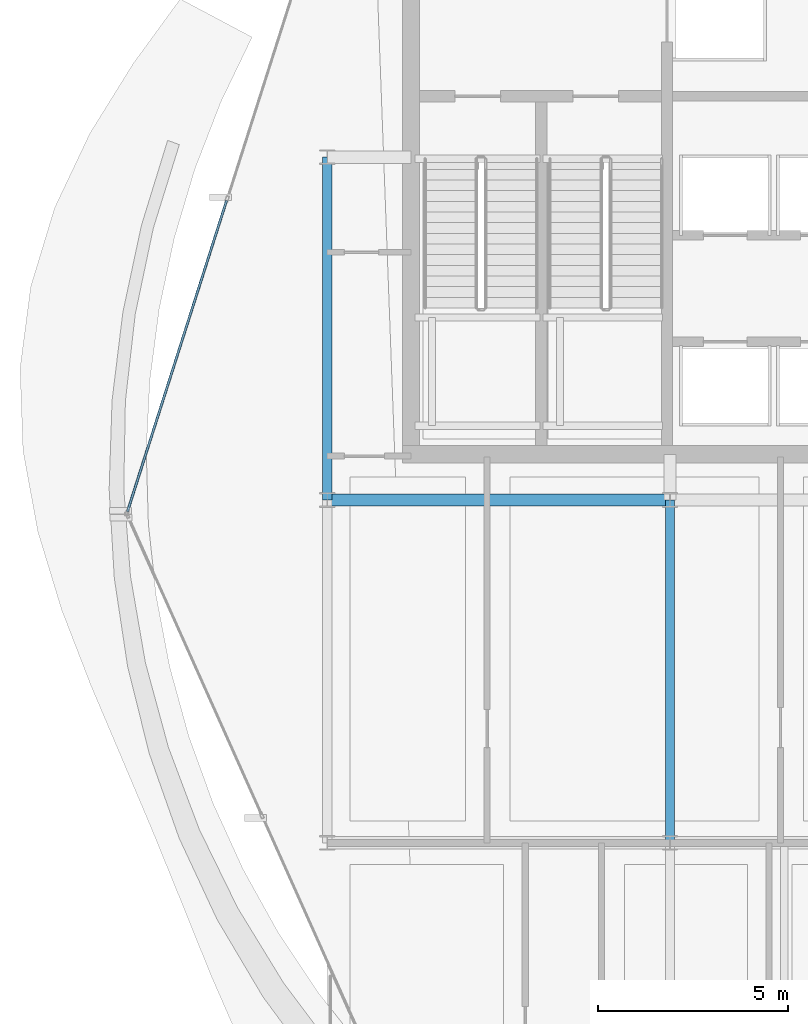
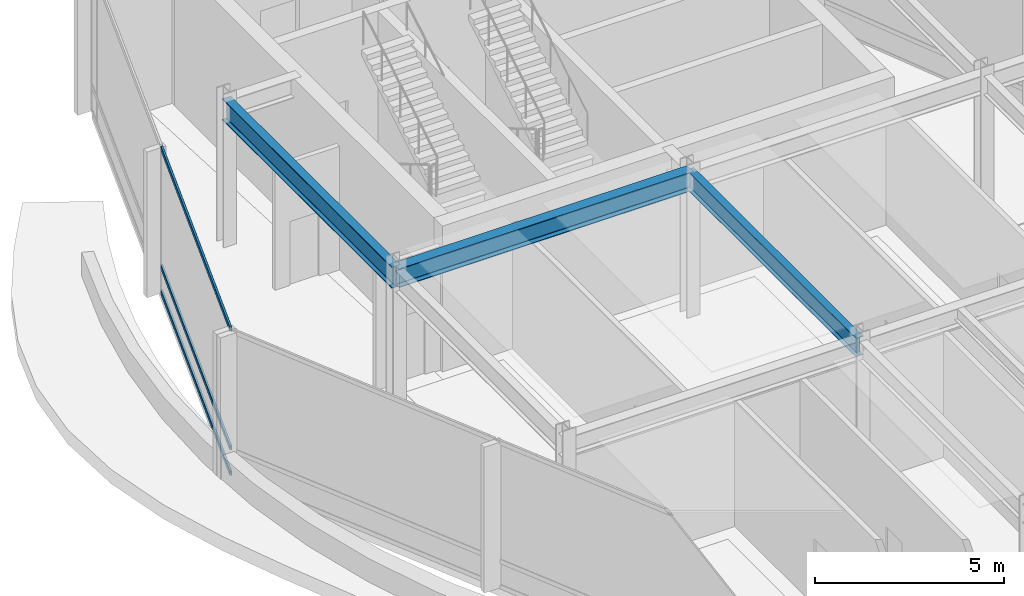
# One storey, part 7 of 23: 3 beams, 3 members, 1 element without a shape of its own.
"""IFC4 building model written with IfcOpenShell, lengths in metres."""

from ifc_helpers import new_model, si_unit, direction, frame, origin, origin_2d, place, context, subcontext, project, spatial, hollow_rectangle, i_section, extrude, material, layer, layer_set, material_profile, profile_set, type_object, element, aggregate, save


model = new_model("IFC4")

# Units and contexts
model_context = context("Model", 3, precision=1e-05, world=origin(), true_north=direction((0.0, 1.0)))
body_context = subcontext(model_context, "Body", "Model", "MODEL_VIEW")
ifc_project = project(units=[si_unit("LENGTHUNIT", "METRE"), si_unit("AREAUNIT", "SQUARE_METRE"), si_unit("VOLUMEUNIT", "CUBIC_METRE"), si_unit("PLANEANGLEUNIT", "RADIAN"), si_unit("MASSUNIT", "GRAM", prefix="KILO")], contexts=[model_context])

# Site, building, storey
site_placement = place(None, origin())
site = spatial("IfcSite", under=ifc_project, at=site_placement, CompositionType="ELEMENT")
building_placement = place(site_placement, origin())
building = spatial("IfcBuilding", under=site, at=building_placement, Name="Solvaryn Broadcast Tower", CompositionType="ELEMENT")
storey_placement = place(building_placement, frame((0.0, 0.0, 235.800048828125)))
storey = spatial("IfcBuildingStorey", under=building, at=storey_placement, Name="L59", CompositionType="ELEMENT", Elevation=235.800048828125)

# Beams
ifc_material_1 = material(Name="Steel ASTM A992 Grade 50", Category="steel")
ifc_material_profile_1 = material_profile(ifc_material_1, i_section(OverallWidth=0.323974609375, OverallDepth=0.611083984375, WebThickness=0.0126953125, FlangeThickness=0.01904296875, FilletRadius=0.014892578125, at=origin_2d()))
ifc_profile_set_1 = profile_set([ifc_material_profile_1], Name="Steel ASTM A992 Grade 50")
beam_type_1 = type_object("IfcBeamType", Name="BM-B1-W24X104", PredefinedType="BEAM", material=ifc_profile_set_1)
beam_1_placement = place(storey_placement, frame((9.0, 27.0, 4.41455078125), z_axis=(1.0, 0.0, 0.0), x_axis=(0.0, 1.0, 0.0)))
element("IfcBeam", 1, at=beam_1_placement, inside=storey, type_object=beam_type_1, Name="L59 Primary Beam X (9-18 @ Y=27)", PredefinedType="BEAM", context=body_context, shape_type="SweptSolid", body=[
    extrude(i_section(OverallWidth=0.323974609375, OverallDepth=0.611083984375, WebThickness=0.0126953125, FlangeThickness=0.01904296875, FilletRadius=0.014892578125, at=origin_2d()), origin(), (0.0, 0.0, 1.0), 9.0),
])
ifc_material_2 = material(Name="Steel ASTM A992 Grade 50", Category="steel")
ifc_material_profile_2 = material_profile(ifc_material_2, i_section(OverallWidth=0.22802734375, OverallDepth=0.60791015625, WebThickness=0.01123046875, FlangeThickness=0.017333984375, FilletRadius=0.014892578125, at=origin_2d()))
ifc_profile_set_2 = profile_set([ifc_material_profile_2], Name="Steel ASTM A992 Grade 50")
beam_type_2 = type_object("IfcBeamType", Name="BM-B2-W24X76", PredefinedType="BEAM", material=ifc_profile_set_2)
beam_2_placement = place(storey_placement, frame((18.0, 18.0, 4.416015625), z_axis=(0.0, 1.0, 0.0), x_axis=(-1.0, 0.0, 0.0)))
element("IfcBeam", 2, at=beam_2_placement, inside=storey, type_object=beam_type_2, Name="L59 Primary Beam Y (18-27 @ X=18)", PredefinedType="BEAM", context=body_context, shape_type="SweptSolid", body=[
    extrude(i_section(OverallWidth=0.22802734375, OverallDepth=0.60791015625, WebThickness=0.01123046875, FlangeThickness=0.017333984375, FilletRadius=0.014892578125, at=origin_2d()), origin(), (0.0, 0.0, 1.0), 9.0),
])
ifc_material_3 = material(Name="Steel ASTM A992 Grade 50", Category="steel")
ifc_material_profile_3 = material_profile(ifc_material_3, i_section(OverallWidth=0.256103515625, OverallDepth=0.693115234375, WebThickness=0.014404296875, FlangeThickness=0.023681640625, FilletRadius=0.01611328125, at=origin_2d()))
ifc_profile_set_3 = profile_set([ifc_material_profile_3], Name="Steel ASTM A992 Grade 50")
beam_type_3 = type_object("IfcBeamType", Name="BM-SP3-W27X114", PredefinedType="USERDEFINED", material=ifc_profile_set_3)
beam_3_placement = place(storey_placement, frame((9.0, 27.0, 4.37353515625), z_axis=(0.0, 1.0, 0.0), x_axis=(-1.0, 0.0, 0.0)))
element("IfcBeam", 3, at=beam_3_placement, inside=storey, type_object=beam_type_3, Name="L59 Spandrel Beam Y (27-36 @ X=9)", ObjectType="SPANDREL", PredefinedType="USERDEFINED", context=body_context, shape_type="SweptSolid", body=[
    extrude(i_section(OverallWidth=0.256103515625, OverallDepth=0.693115234375, WebThickness=0.014404296875, FlangeThickness=0.023681640625, FilletRadius=0.01611328125, at=origin_2d()), origin(), (0.0, 0.0, 1.0), 9.0),
])

# Curtain wall, members
ifc_material_4 = material(Name="Aluminium and Terracotta Unitised Curtain Wall", Category="masonry")
ifc_layer = layer(ifc_material_4, 0.25)
ifc_layer_set = layer_set([ifc_layer], Name="CW-SYS4-SKYGARDEN")
curtain_wall_type = type_object("IfcCurtainWallType", Name="CW-SYS4-SKYGARDEN", PredefinedType="NOTDEFINED", material=ifc_layer_set)
curtain_wall_placement = place(storey_placement, origin())
curtain_wall = element("IfcCurtainWall", 4, at=curtain_wall_placement, inside=storey, type_object=curtain_wall_type, Name="L59 Curtain Wall DR1", PredefinedType="NOTDEFINED")
ifc_material_5 = material(Name="Anodised Aluminium 6063-T6", Category="aluminium")
ifc_material_profile_4 = material_profile(ifc_material_5, hollow_rectangle(XDim=0.06494140625, YDim=0.14990234375, WallThickness=0.00390625, InnerFilletRadius=0.00390625, OuterFilletRadius=0.008056640625, at=origin_2d()))
ifc_profile_set_4 = profile_set([ifc_material_profile_4], Name="Anodised Aluminium 6063-T6")
member_type = type_object("IfcMemberType", Name="CW-TRN-150", PredefinedType="USERDEFINED", material=ifc_profile_set_4)
member_1_placement = place(storey_placement, frame((6.35986328125, 34.864013671875, 0.030029296875), z_axis=(-0.303619603822, -0.952793333402, 0.0), x_axis=(0.952793333402, -0.303619603822, 0.0)))
member_1 = element("IfcMember", 5, at=member_1_placement, type_object=member_type, Name="CWS4 transom 2.1", ObjectType="TRANSOM", PredefinedType="USERDEFINED", context=body_context, shape_type="SweptSolid", body=[
    extrude(hollow_rectangle(XDim=0.06494140625, YDim=0.14990234375, WallThickness=0.00390625, InnerFilletRadius=0.00390625, OuterFilletRadius=0.008056640625, at=origin_2d()), origin(), (0.0, 0.0, 1.0), 8.57568359375),
])
member_2_placement = place(storey_placement, frame((6.35986328125, 34.864013671875, 0.849853515625), z_axis=(-0.303619603822, -0.952793333402, 0.0), x_axis=(0.952793333402, -0.303619603822, 0.0)))
member_2 = element("IfcMember", 6, at=member_2_placement, type_object=member_type, Name="CWS4 transom 2.2", ObjectType="TRANSOM", PredefinedType="USERDEFINED", context=body_context, shape_type="SweptSolid", body=[
    extrude(hollow_rectangle(XDim=0.06494140625, YDim=0.14990234375, WallThickness=0.00390625, InnerFilletRadius=0.00390625, OuterFilletRadius=0.008056640625, at=origin_2d()), origin(), (0.0, 0.0, 1.0), 8.57568359375),
])
member_3_placement = place(storey_placement, frame((6.35986328125, 34.864013671875, 4.68994140625), z_axis=(-0.303619603822, -0.952793333402, 0.0), x_axis=(0.952793333402, -0.303619603822, 0.0)))
member_3 = element("IfcMember", 7, at=member_3_placement, type_object=member_type, Name="CWS4 transom 2.3", ObjectType="TRANSOM", PredefinedType="USERDEFINED", context=body_context, shape_type="SweptSolid", body=[
    extrude(hollow_rectangle(XDim=0.06494140625, YDim=0.14990234375, WallThickness=0.00390625, InnerFilletRadius=0.00390625, OuterFilletRadius=0.008056640625, at=origin_2d()), origin(), (0.0, 0.0, 1.0), 8.57568359375),
])
aggregate(curtain_wall, [member_1, member_2, member_3])

save(model, "model.ifc")
